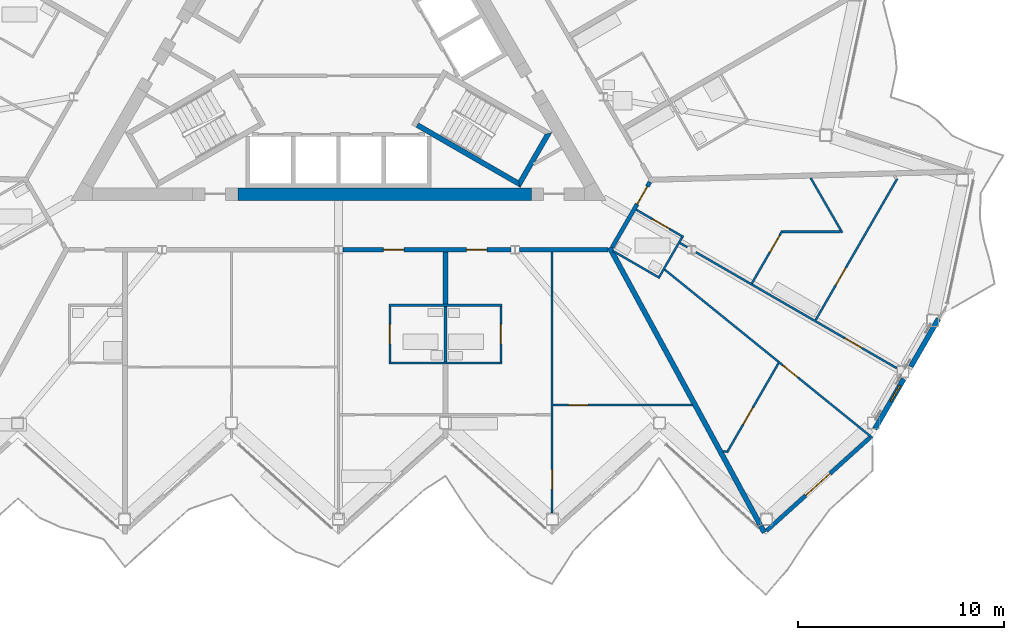
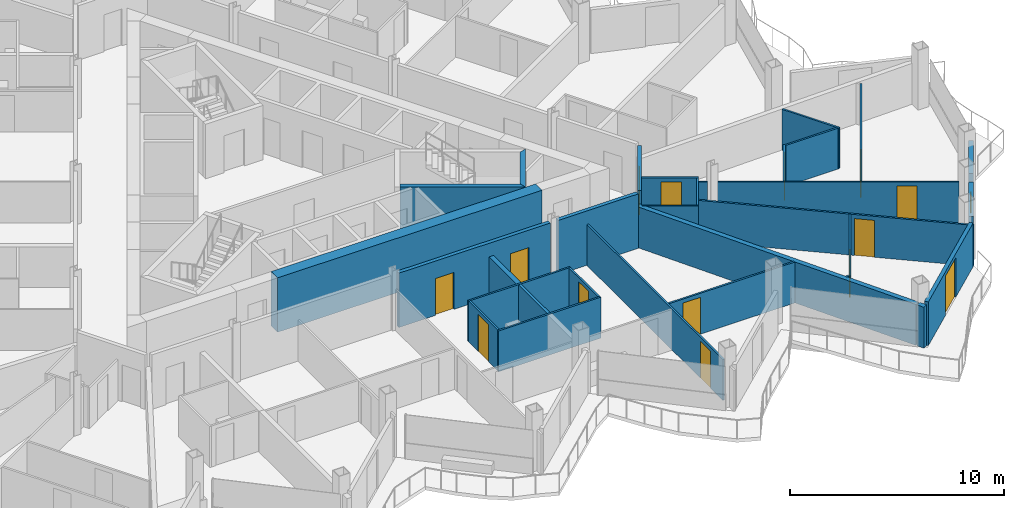
# One storey, part 16 of 28: 31 walls, 14 doors, 1 window, 15 openings.
"""IFC4 building model written with IfcOpenShell, lengths in metres."""

from ifc_helpers import new_model, si_unit, direction, frame, frame_2d, origin, place, context, subcontext, project, spatial, polyline, rectangle, outline, extrude, material, layer, layer_set, type_object, element, fill, save


model = new_model("IFC4")

# Units and contexts
model_context = context("Model", 3, precision=1e-05, world=origin(), true_north=direction((0.0, 1.0)))
body_context = subcontext(model_context, "Body", "Model", "MODEL_VIEW")
ifc_project = project(units=[si_unit("LENGTHUNIT", "METRE"), si_unit("AREAUNIT", "SQUARE_METRE"), si_unit("VOLUMEUNIT", "CUBIC_METRE"), si_unit("PLANEANGLEUNIT", "RADIAN"), si_unit("MASSUNIT", "GRAM", prefix="KILO")], contexts=[model_context])

# Site, building, storey
site_placement = place(None, origin())
site = spatial("IfcSite", under=ifc_project, at=site_placement, CompositionType="ELEMENT")
building_placement = place(site_placement, origin())
building = spatial("IfcBuilding", under=site, at=building_placement, Name="Cormorant Prow Tower", CompositionType="ELEMENT")
storey_placement = place(building_placement, frame((0.0, 0.0, 301.800048828125)))
storey = spatial("IfcBuildingStorey", under=building, at=storey_placement, Name="L65", CompositionType="ELEMENT", Elevation=301.800048828125)

# Wall
ifc_material_1 = material(Name="Concrete 8000 psi", Category="concrete")
ifc_layer_1 = layer(ifc_material_1, 0.60009765625)
ifc_layer_set_1 = layer_set([ifc_layer_1], Name="Concrete 8000 psi")
wall_type_1 = type_object("IfcWallType", Name="Core shear wall 600", PredefinedType="SHEAR", material=ifc_layer_set_1)
wall_1_placement = place(storey_placement, frame((-4.89208984375, -7.20556640625, 0.0), z_axis=(0.0, 0.0, 1.0), x_axis=(1.0, 0.0, 0.0)))
element("IfcWall", 1, at=wall_1_placement, inside=storey, type_object=wall_type_1, Name="Core wall", PredefinedType="SHEAR", context=body_context, shape_type="SweptSolid", body=[
    extrude(rectangle(XDim=14.2607421875, YDim=0.60009765625, at=frame_2d((7.13037109375, 0.0))), origin(), (0.0, 0.0, 1.0), 3.099853515625),
])

# Wall, openings, doors
ifc_material_2 = material(Name="Gypsum board corridor wall")
ifc_layer_2 = layer(ifc_material_2, 0.199951171875)
ifc_layer_set_2 = layer_set([ifc_layer_2], Name="Gypsum board corridor wall")
wall_type_2 = type_object("IfcWallType", Name="Corridor wall 200", PredefinedType="PARTITIONING", material=ifc_layer_set_2)
wall_2_placement = place(storey_placement, frame((0.207763671875, -9.905517578125, 0.0), z_axis=(0.0, 0.0, 1.0), x_axis=(1.0, 0.0, 0.0)))
wall_2 = element("IfcWall", 2, at=wall_2_placement, inside=storey, type_object=wall_type_2, Name="Corridor wall", PredefinedType="PARTITIONING", context=body_context, shape_type="SweptSolid", body=[
    extrude(rectangle(XDim=8.1630859375, YDim=0.199951171875, at=frame_2d((4.08154296875, 0.0))), origin(), (0.0, 0.0, 1.0), 3.099853515625),
])
opening_1_placement = place(wall_2_placement, frame((1.96630859375, 0.0, 0.0)))
opening_1 = element("IfcOpeningElement", 3, at=opening_1_placement, cuts=wall_2, Name="Opening L65-F03", PredefinedType="OPENING", context=body_context, shape_type="SweptSolid", body=[
    extrude(rectangle(XDim=1.0, YDim=2.10009765625, at=frame_2d((0.5, 1.050048828125))), frame((0.0, 0.10986328125, 0.0), z_axis=(0.0, -1.0, 0.0), x_axis=(1.0, 0.0, 0.0)), (0.0, 0.0, 1.0), 0.219970703125),
])
opening_2_placement = place(wall_2_placement, frame((6.00439453125, 0.0, 0.0)))
opening_2 = element("IfcOpeningElement", 4, at=opening_2_placement, cuts=wall_2, Name="Opening L65-F10", PredefinedType="OPENING", context=body_context, shape_type="SweptSolid", body=[
    extrude(rectangle(XDim=1.0, YDim=2.10009765625, at=frame_2d((0.5, 1.050048828125))), frame((0.0, 0.10986328125, 0.0), z_axis=(0.0, -1.0, 0.0), x_axis=(1.0, 0.0, 0.0)), (0.0, 0.0, 1.0), 0.219970703125),
])
ifc_material_3 = material(Name="Timber door leaf", Category="wood")
door_type_1 = type_object("IfcDoorType", Name="Flat or room entrance door 1000x2100", OperationType="NOTDEFINED", PredefinedType="DOOR", material=ifc_material_3)
door_1_placement = place(opening_1_placement, origin())
door_1 = element("IfcDoor", 5, at=door_1_placement, inside=storey, type_object=door_type_1, Name="Living room door", OperationType="SINGLE_SWING_LEFT", OverallHeight=2.10009765625, OverallWidth=1.0, PredefinedType="DOOR", context=body_context, shape_type="SweptSolid", body=[
    extrude(rectangle(XDim=1.0, YDim=2.10009765625, at=frame_2d((0.5, 1.050048828125))), frame((0.0, 0.02490234375, 0.0), z_axis=(0.0, -1.0, 0.0), x_axis=(1.0, 0.0, 0.0)), (0.0, 0.0, 1.0), 0.050048828125),
])
fill(opening_1, door_1)
door_2_placement = place(opening_2_placement, origin())
door_2 = element("IfcDoor", 6, at=door_2_placement, inside=storey, type_object=door_type_1, Name="Living room door", OperationType="SINGLE_SWING_LEFT", OverallHeight=2.10009765625, OverallWidth=1.0, PredefinedType="DOOR", context=body_context, shape_type="SweptSolid", body=[
    extrude(rectangle(XDim=1.0, YDim=2.10009765625, at=frame_2d((0.5, 1.050048828125))), frame((0.0, 0.02490234375, 0.0), z_axis=(0.0, -1.0, 0.0), x_axis=(1.0, 0.0, 0.0)), (0.0, 0.0, 1.0), 0.050048828125),
])
fill(opening_2, door_2)

# Wall
wall_3_placement = place(storey_placement, frame((8.7861328125, -9.905517578125, 0.0), z_axis=(0.0, 0.0, 1.0), x_axis=(1.0, 0.0, 0.0)))
element("IfcWall", 7, at=wall_3_placement, inside=storey, type_object=wall_type_2, Name="Corridor wall", PredefinedType="PARTITIONING", context=body_context, shape_type="SweptSolid", body=[
    extrude(rectangle(XDim=4.31982421875, YDim=0.199951171875, at=frame_2d((2.159912109375, 0.0))), origin(), (0.0, 0.0, 1.0), 3.099853515625),
])

# Wall, opening, door
wall_4_placement = place(storey_placement, frame((13.29345703125, -9.79736328125, 0.0), z_axis=(0.0, 0.0, 1.0), x_axis=(0.499967746641, 0.866044024469, 0.0)))
wall_4 = element("IfcWall", 8, at=wall_4_placement, inside=storey, type_object=wall_type_2, Name="Corridor wall", PredefinedType="PARTITIONING", context=body_context, shape_type="SweptSolid", body=[
    extrude(rectangle(XDim=3.676025390625, YDim=0.199951171875, at=frame_2d((1.837890625, 0.0))), origin(), (0.0, 0.0, 1.0), 3.099853515625),
])
opening_3_placement = place(wall_4_placement, frame((2.426025390625, 0.0, 0.0)))
opening_3 = element("IfcOpeningElement", 9, at=opening_3_placement, cuts=wall_4, Name="Opening L65-F15", PredefinedType="OPENING", context=body_context, shape_type="SweptSolid", body=[
    extrude(rectangle(XDim=1.0, YDim=2.10009765625, at=frame_2d((0.5, 1.050048828125))), frame((0.0, 0.10986328125, 0.0), z_axis=(0.0, -1.0, 0.0), x_axis=(1.0, 0.0, 0.0)), (0.0, 0.0, 1.0), 0.219970703125),
])
door_3_placement = place(opening_3_placement, origin())
door_3 = element("IfcDoor", 10, at=door_3_placement, inside=storey, type_object=door_type_1, Name="Living room door", OperationType="SINGLE_SWING_RIGHT", OverallHeight=2.10009765625, OverallWidth=1.0, PredefinedType="DOOR", context=body_context, shape_type="SweptSolid", body=[
    extrude(rectangle(XDim=1.0, YDim=2.10009765625, at=frame_2d((0.5, 1.050048828125))), frame((0.0, 0.02490234375, 0.0), z_axis=(0.0, -1.0, 0.0), x_axis=(1.0, 0.0, 0.0)), (0.0, 0.0, 1.0), 0.050048828125),
])
fill(opening_3, door_3)

ifc_material_4 = material(Name="Gypsum board partition")
ifc_layer_3 = layer(ifc_material_4, 0.10009765625)
ifc_layer_set_3 = layer_set([ifc_layer_3], Name="Gypsum board partition")
wall_type_3 = type_object("IfcWallType", Name="Internal partition 100", PredefinedType="PARTITIONING", material=ifc_layer_set_3)
wall_5_placement = place(storey_placement, frame((15.848388671875, -10.870849609375, 0.0), z_axis=(0.0, 0.0, 1.0), x_axis=(0.77713687197, -0.629331615465, 0.0)))
wall_5 = element("IfcWall", 11, at=wall_5_placement, inside=storey, type_object=wall_type_3, Name="Internal partition", PredefinedType="PARTITIONING", context=body_context, shape_type="SweptSolid", body=[
    extrude(rectangle(XDim=13.00439453125, YDim=0.10009765625, at=frame_2d((6.502197265625, 0.0))), origin(), (0.0, 0.0, 1.0), 2.330078125),
])
opening_4_placement = place(wall_5_placement, frame((7.383544921875, 0.0, 0.0)))
opening_4 = element("IfcOpeningElement", 12, at=opening_4_placement, cuts=wall_5, Name="Opening L65-F20", PredefinedType="OPENING", context=body_context, shape_type="SweptSolid", body=[
    extrude(rectangle(XDim=0.949951171875, YDim=2.10009765625, at=frame_2d((0.47509765625, 1.050048828125))), frame((0.0, 0.06005859375, 0.0), z_axis=(0.0, -1.0, 0.0), x_axis=(1.0, 0.0, 0.0)), (0.0, 0.0, 1.0), 0.1201171875),
])
ifc_material_5 = material(Name="Timber door leaf", Category="wood")
door_type_2 = type_object("IfcDoorType", Name="Bathroom door 950x2100", OperationType="NOTDEFINED", PredefinedType="DOOR", material=ifc_material_5)
door_4_placement = place(opening_4_placement, origin())
door_4 = element("IfcDoor", 13, at=door_4_placement, inside=storey, type_object=door_type_2, Name="Bedroom door", OperationType="SINGLE_SWING_LEFT", OverallHeight=2.10009765625, OverallWidth=0.949951171875, PredefinedType="DOOR", context=body_context, shape_type="SweptSolid", body=[
    extrude(rectangle(XDim=0.949951171875, YDim=2.10009765625, at=frame_2d((0.47509765625, 1.050048828125))), frame((0.0, 0.02490234375, 0.0), z_axis=(0.0, -1.0, 0.0), x_axis=(1.0, 0.0, 0.0)), (0.0, 0.0, 1.0), 0.050048828125),
])
fill(opening_4, door_4)

wall_6_placement = place(storey_placement, frame((10.3818359375, -22.697998046875, 0.0), z_axis=(0.0, 0.0, 1.0), x_axis=(0.0, 1.0, 0.0)))
wall_6 = element("IfcWall", 14, at=wall_6_placement, inside=storey, type_object=wall_type_3, Name="Internal partition", PredefinedType="PARTITIONING", context=body_context, shape_type="SweptSolid", body=[
    extrude(rectangle(XDim=12.6923828125, YDim=0.10009765625, at=frame_2d((6.34619140625, 0.0))), origin(), (0.0, 0.0, 1.0), 2.330078125),
])
opening_5_placement = place(wall_6_placement, frame((1.1533203125, 0.0, 0.0)))
opening_5 = element("IfcOpeningElement", 15, at=opening_5_placement, cuts=wall_6, Name="Opening L65-F13", PredefinedType="OPENING", context=body_context, shape_type="SweptSolid", body=[
    extrude(rectangle(XDim=0.949951171875, YDim=2.10009765625, at=frame_2d((0.47509765625, 1.050048828125))), frame((0.0, 0.06005859375, 0.0), z_axis=(0.0, -1.0, 0.0), x_axis=(1.0, 0.0, 0.0)), (0.0, 0.0, 1.0), 0.1201171875),
])
door_5_placement = place(opening_5_placement, origin())
door_5 = element("IfcDoor", 16, at=door_5_placement, inside=storey, type_object=door_type_2, Name="Kitchen door", OperationType="SINGLE_SWING_RIGHT", OverallHeight=2.10009765625, OverallWidth=0.949951171875, PredefinedType="DOOR", context=body_context, shape_type="SweptSolid", body=[
    extrude(rectangle(XDim=0.949951171875, YDim=2.10009765625, at=frame_2d((0.47509765625, 1.050048828125))), frame((0.0, 0.02490234375, 0.0), z_axis=(0.0, -1.0, 0.0), x_axis=(1.0, 0.0, 0.0)), (0.0, 0.0, 1.0), 0.050048828125),
])
fill(opening_5, door_5)

wall_7_placement = place(storey_placement, frame((17.364501953125, -10.025390625, 0.0), z_axis=(0.0, 0.0, 1.0), x_axis=(0.866021046153, -0.500007547564, 0.0)))
wall_7 = element("IfcWall", 17, at=wall_7_placement, inside=storey, type_object=wall_type_3, Name="Internal partition", PredefinedType="PARTITIONING", context=body_context, shape_type="SweptSolid", body=[
    extrude(rectangle(XDim=11.267333984375, YDim=0.10009765625, at=frame_2d((5.6337890625, 0.0))), origin(), (0.0, 0.0, 1.0), 2.330078125),
])
opening_6_placement = place(wall_7_placement, frame((8.3642578125, 0.0, 0.0)))
opening_6 = element("IfcOpeningElement", 18, at=opening_6_placement, cuts=wall_7, Name="Opening L65-F19", PredefinedType="OPENING", context=body_context, shape_type="SweptSolid", body=[
    extrude(rectangle(XDim=0.949951171875, YDim=2.10009765625, at=frame_2d((0.47509765625, 1.050048828125))), frame((0.0, 0.06005859375, 0.0), z_axis=(0.0, -1.0, 0.0), x_axis=(1.0, 0.0, 0.0)), (0.0, 0.0, 1.0), 0.1201171875),
])
door_6_placement = place(opening_6_placement, origin())
door_6 = element("IfcDoor", 19, at=door_6_placement, inside=storey, type_object=door_type_2, Name="Dining room door", OperationType="SINGLE_SWING_RIGHT", OverallHeight=2.10009765625, OverallWidth=0.949951171875, PredefinedType="DOOR", context=body_context, shape_type="SweptSolid", body=[
    extrude(rectangle(XDim=0.949951171875, YDim=2.10009765625, at=frame_2d((0.47509765625, 1.050048828125))), frame((0.0, 0.02490234375, 0.0), z_axis=(0.0, -1.0, 0.0), x_axis=(1.0, 0.0, 0.0)), (0.0, 0.0, 1.0), 0.050048828125),
])
fill(opening_6, door_6)

wall_8_placement = place(storey_placement, frame((23.182861328125, -13.326904296875, 0.0), z_axis=(0.0, 0.0, 1.0), x_axis=(0.499991741039, 0.866030172045, 0.0)))
wall_8 = element("IfcWall", 20, at=wall_8_placement, inside=storey, type_object=wall_type_3, Name="Internal partition", PredefinedType="PARTITIONING", context=body_context, shape_type="SweptSolid", body=[
    extrude(rectangle(XDim=7.926513671875, YDim=0.10009765625, at=frame_2d((3.96337890625, 0.0))), origin(), (0.0, 0.0, 1.0), 2.330078125),
])
opening_7_placement = place(wall_8_placement, frame((1.970458984375, 0.0, 0.0)))
opening_7 = element("IfcOpeningElement", 21, at=opening_7_placement, cuts=wall_8, Name="Opening L65-F18", PredefinedType="OPENING", context=body_context, shape_type="SweptSolid", body=[
    extrude(rectangle(XDim=0.949951171875, YDim=2.10009765625, at=frame_2d((0.47509765625, 1.050048828125))), frame((0.0, 0.06005859375, 0.0), z_axis=(0.0, -1.0, 0.0), x_axis=(1.0, 0.0, 0.0)), (0.0, 0.0, 1.0), 0.1201171875),
])
door_7_placement = place(opening_7_placement, origin())
door_7 = element("IfcDoor", 22, at=door_7_placement, inside=storey, type_object=door_type_2, Name="Kitchen door", OperationType="SINGLE_SWING_RIGHT", OverallHeight=2.10009765625, OverallWidth=0.949951171875, PredefinedType="DOOR", context=body_context, shape_type="SweptSolid", body=[
    extrude(rectangle(XDim=0.949951171875, YDim=2.10009765625, at=frame_2d((0.47509765625, 1.050048828125))), frame((0.0, 0.02490234375, 0.0), z_axis=(0.0, -1.0, 0.0), x_axis=(1.0, 0.0, 0.0)), (0.0, 0.0, 1.0), 0.050048828125),
])
fill(opening_7, door_7)

wall_9_placement = place(storey_placement, frame((10.431884765625, -17.45751953125, 0.0), z_axis=(0.0, 0.0, 1.0), x_axis=(1.0, 0.0, 0.0)))
wall_9 = element("IfcWall", 23, at=wall_9_placement, inside=storey, type_object=wall_type_3, Name="Internal partition", PredefinedType="PARTITIONING", context=body_context, shape_type="SweptSolid", body=[
    extrude(rectangle(XDim=6.774658203125, YDim=0.10009765625, at=frame_2d((3.38720703125, 0.0))), origin(), (0.0, 0.0, 1.0), 2.330078125),
])
opening_8_placement = place(wall_9_placement, frame((0.752197265625, 0.0, 0.0)))
opening_8 = element("IfcOpeningElement", 24, at=opening_8_placement, cuts=wall_9, Name="Opening L65-F14", PredefinedType="OPENING", context=body_context, shape_type="SweptSolid", body=[
    extrude(rectangle(XDim=0.949951171875, YDim=2.10009765625, at=frame_2d((0.47509765625, 1.050048828125))), frame((0.0, 0.06005859375, 0.0), z_axis=(0.0, -1.0, 0.0), x_axis=(1.0, 0.0, 0.0)), (0.0, 0.0, 1.0), 0.1201171875),
])
door_8_placement = place(opening_8_placement, origin())
door_8 = element("IfcDoor", 25, at=door_8_placement, inside=storey, type_object=door_type_2, Name="Bedroom door", OperationType="SINGLE_SWING_LEFT", OverallHeight=2.10009765625, OverallWidth=0.949951171875, PredefinedType="DOOR", context=body_context, shape_type="SweptSolid", body=[
    extrude(rectangle(XDim=0.949951171875, YDim=2.10009765625, at=frame_2d((0.47509765625, 1.050048828125))), frame((0.0, 0.02490234375, 0.0), z_axis=(0.0, -1.0, 0.0), x_axis=(1.0, 0.0, 0.0)), (0.0, 0.0, 1.0), 0.050048828125),
])
fill(opening_8, door_8)

# Walls
for number, where, z_axis, x_axis, name in (
    (26, (2.44091796875, -12.605712890625, 0.0), (0.0, 0.0, 1.0), (1.0, 0.0, 0.0), "Internal partition"),
    (27, (2.44091796875, -15.405517578125, 0.0), (0.0, 0.0, 1.0), (1.0, 0.0, 0.0), "Internal partition"),
):
    element("IfcWall", number, at=place(storey_placement, frame(where, z_axis=z_axis, x_axis=x_axis)), inside=storey, type_object=wall_type_3, Name=name, PredefinedType="PARTITIONING", context=body_context, shape_type="SweptSolid", body=[
        extrude(rectangle(XDim=5.5, YDim=0.10009765625, at=frame_2d((2.75, 0.0))), origin(), (0.0, 0.0, 1.0), 2.330078125),
    ])

# Wall, opening, door
wall_10_placement = place(storey_placement, frame((18.872802734375, -19.763916015625, 0.0), z_axis=(0.0, 0.0, 1.0), x_axis=(0.499983455602, 0.866034955486, 0.0)))
wall_10 = element("IfcWall", 28, at=wall_10_placement, inside=storey, type_object=wall_type_3, Name="Internal partition", PredefinedType="PARTITIONING", context=body_context, shape_type="SweptSolid", body=[
    extrude(rectangle(XDim=5.020263671875, YDim=0.10009765625, at=frame_2d((2.51025390625, 0.0))), origin(), (0.0, 0.0, 1.0), 2.330078125),
])
opening_9_placement = place(wall_10_placement, frame((1.576171875, 0.0, 0.0)))
opening_9 = element("IfcOpeningElement", 29, at=opening_9_placement, cuts=wall_10, Name="Opening L65-F21", PredefinedType="OPENING", context=body_context, shape_type="SweptSolid", body=[
    extrude(rectangle(XDim=0.949951171875, YDim=2.10009765625, at=frame_2d((0.47509765625, 1.050048828125))), frame((0.0, 0.06005859375, 0.0), z_axis=(0.0, -1.0, 0.0), x_axis=(1.0, 0.0, 0.0)), (0.0, 0.0, 1.0), 0.1201171875),
])
door_9_placement = place(opening_9_placement, origin())
door_9 = element("IfcDoor", 30, at=door_9_placement, inside=storey, type_object=door_type_2, Name="Bedroom door", OperationType="SINGLE_SWING_LEFT", OverallHeight=2.10009765625, OverallWidth=0.949951171875, PredefinedType="DOOR", context=body_context, shape_type="SweptSolid", body=[
    extrude(rectangle(XDim=0.949951171875, YDim=2.10009765625, at=frame_2d((0.47509765625, 1.050048828125))), frame((0.0, 0.02490234375, 0.0), z_axis=(0.0, -1.0, 0.0), x_axis=(1.0, 0.0, 0.0)), (0.0, 0.0, 1.0), 0.050048828125),
])
fill(opening_9, door_9)

# Wall
wall_11_placement = place(storey_placement, frame((22.940673828125, -6.41259765625, 0.0), z_axis=(0.0, 0.0, 1.0), x_axis=(0.500013199183, -0.866017783098, 0.0)))
element("IfcWall", 31, at=wall_11_placement, inside=storey, type_object=wall_type_3, Name="Internal partition", PredefinedType="PARTITIONING", context=body_context, shape_type="SweptSolid", body=[
    extrude(rectangle(XDim=3.0771484375, YDim=0.10009765625, at=frame_2d((1.53857421875, 0.0))), origin(), (0.0, 0.0, 1.0), 2.330078125),
])

# Wall, opening, door
wall_12_placement = place(storey_placement, frame((20.087646484375, -11.539794921875, 0.0), z_axis=(0.0, 0.0, 1.0), x_axis=(0.500055103712, 0.865993587304, 0.0)))
wall_12 = element("IfcWall", 32, at=wall_12_placement, inside=storey, type_object=wall_type_3, Name="Internal partition", PredefinedType="PARTITIONING", context=body_context, shape_type="SweptSolid", body=[
    extrude(rectangle(XDim=2.943603515625, YDim=0.10009765625, at=frame_2d((1.4716796875, 0.0))), origin(), (0.0, 0.0, 1.0), 2.330078125),
])
opening_10_placement = place(wall_12_placement, frame((1.74365234375, 0.0, 0.0)))
opening_10 = element("IfcOpeningElement", 33, at=opening_10_placement, cuts=wall_12, Name="Opening L65-F17", PredefinedType="OPENING", context=body_context, shape_type="SweptSolid", body=[
    extrude(rectangle(XDim=0.949951171875, YDim=2.10009765625, at=frame_2d((0.47509765625, 1.050048828125))), frame((0.0, 0.06005859375, 0.0), z_axis=(0.0, -1.0, 0.0), x_axis=(1.0, 0.0, 0.0)), (0.0, 0.0, 1.0), 0.1201171875),
])
door_10_placement = place(opening_10_placement, origin())
door_10 = element("IfcDoor", 34, at=door_10_placement, inside=storey, type_object=door_type_2, Name="Living room door", OperationType="SINGLE_SWING_RIGHT", OverallHeight=2.10009765625, OverallWidth=0.949951171875, PredefinedType="DOOR", context=body_context, shape_type="SweptSolid", body=[
    extrude(rectangle(XDim=0.949951171875, YDim=2.10009765625, at=frame_2d((0.47509765625, 1.050048828125))), frame((0.0, 0.02490234375, 0.0), z_axis=(0.0, -1.0, 0.0), x_axis=(1.0, 0.0, 0.0)), (0.0, 0.0, 1.0), 0.050048828125),
])
fill(opening_10, door_10)

# Wall
wall_13_placement = place(storey_placement, frame((21.58447265625, -9.033935546875, 0.0), z_axis=(0.0, 0.0, 1.0), x_axis=(1.0, 0.0, 0.0)))
element("IfcWall", 35, at=wall_13_placement, inside=storey, type_object=wall_type_3, Name="Internal partition", PredefinedType="PARTITIONING", context=body_context, shape_type="SweptSolid", body=[
    extrude(rectangle(XDim=2.81982421875, YDim=0.10009765625, at=frame_2d((1.409912109375, 0.0))), origin(), (0.0, 0.0, 1.0), 2.330078125),
])

# Wall, opening, door
wall_14_placement = place(storey_placement, frame((2.490966796875, -15.355712890625, 0.0), z_axis=(0.0, 0.0, 1.0), x_axis=(0.0, 1.0, 0.0)))
wall_14 = element("IfcWall", 36, at=wall_14_placement, inside=storey, type_object=wall_type_3, Name="Internal partition", PredefinedType="PARTITIONING", context=body_context, shape_type="SweptSolid", body=[
    extrude(rectangle(XDim=2.7001953125, YDim=0.10009765625, at=frame_2d((1.35009765625, 0.0))), origin(), (0.0, 0.0, 1.0), 2.330078125),
])
opening_11_placement = place(wall_14_placement, frame((0.875, 0.0, 0.0)))
opening_11 = element("IfcOpeningElement", 37, at=opening_11_placement, cuts=wall_14, Name="Opening L65-F04", PredefinedType="OPENING", context=body_context, shape_type="SweptSolid", body=[
    extrude(rectangle(XDim=0.949951171875, YDim=2.10009765625, at=frame_2d((0.47509765625, 1.050048828125))), frame((0.0, 0.06005859375, 0.0), z_axis=(0.0, -1.0, 0.0), x_axis=(1.0, 0.0, 0.0)), (0.0, 0.0, 1.0), 0.1201171875),
])
door_11_placement = place(opening_11_placement, origin())
door_11 = element("IfcDoor", 38, at=door_11_placement, inside=storey, type_object=door_type_2, Name="Living room door", OperationType="SINGLE_SWING_RIGHT", OverallHeight=2.10009765625, OverallWidth=0.949951171875, PredefinedType="DOOR", context=body_context, shape_type="SweptSolid", body=[
    extrude(rectangle(XDim=0.949951171875, YDim=2.10009765625, at=frame_2d((0.47509765625, 1.050048828125))), frame((0.0, 0.02490234375, 0.0), z_axis=(0.0, -1.0, 0.0), x_axis=(1.0, 0.0, 0.0)), (0.0, 0.0, 1.0), 0.050048828125),
])
fill(opening_11, door_11)

wall_15_placement = place(storey_placement, frame((7.890869140625, -15.355712890625, 0.0), z_axis=(0.0, 0.0, 1.0), x_axis=(0.0, 1.0, 0.0)))
wall_15 = element("IfcWall", 39, at=wall_15_placement, inside=storey, type_object=wall_type_3, Name="Internal partition", PredefinedType="PARTITIONING", context=body_context, shape_type="SweptSolid", body=[
    extrude(rectangle(XDim=2.7001953125, YDim=0.10009765625, at=frame_2d((1.35009765625, 0.0))), origin(), (0.0, 0.0, 1.0), 2.330078125),
])
opening_12_placement = place(wall_15_placement, frame((0.875, 0.0, 0.0)))
opening_12 = element("IfcOpeningElement", 40, at=opening_12_placement, cuts=wall_15, Name="Opening L65-F11", PredefinedType="OPENING", context=body_context, shape_type="SweptSolid", body=[
    extrude(rectangle(XDim=0.949951171875, YDim=2.10009765625, at=frame_2d((0.47509765625, 1.050048828125))), frame((0.0, 0.06005859375, 0.0), z_axis=(0.0, -1.0, 0.0), x_axis=(1.0, 0.0, 0.0)), (0.0, 0.0, 1.0), 0.1201171875),
])
door_12_placement = place(opening_12_placement, origin())
door_12 = element("IfcDoor", 41, at=door_12_placement, inside=storey, type_object=door_type_2, Name="Living room door", OperationType="SINGLE_SWING_RIGHT", OverallHeight=2.10009765625, OverallWidth=0.949951171875, PredefinedType="DOOR", context=body_context, shape_type="SweptSolid", body=[
    extrude(rectangle(XDim=0.949951171875, YDim=2.10009765625, at=frame_2d((0.47509765625, 1.050048828125))), frame((0.0, 0.02490234375, 0.0), z_axis=(0.0, -1.0, 0.0), x_axis=(1.0, 0.0, 0.0)), (0.0, 0.0, 1.0), 0.050048828125),
])
fill(opening_12, door_12)

wall_16_placement = place(storey_placement, frame((14.467529296875, -7.963623046875, 0.0), z_axis=(0.0, 0.0, 1.0), x_axis=(0.865989200783, -0.500062700197, 0.0)))
wall_16 = element("IfcWall", 42, at=wall_16_placement, inside=storey, type_object=wall_type_3, Name="Internal partition", PredefinedType="PARTITIONING", context=body_context, shape_type="SweptSolid", body=[
    extrude(rectangle(XDim=2.650146484375, YDim=0.10009765625, at=frame_2d((1.3251953125, 0.0))), origin(), (0.0, 0.0, 1.0), 2.330078125),
])
opening_13_placement = place(wall_16_placement, frame((0.904541015625, 0.0, 0.0)))
opening_13 = element("IfcOpeningElement", 43, at=opening_13_placement, cuts=wall_16, Name="Opening L65-F16", PredefinedType="OPENING", context=body_context, shape_type="SweptSolid", body=[
    extrude(rectangle(XDim=0.949951171875, YDim=2.10009765625, at=frame_2d((0.47509765625, 1.050048828125))), frame((0.0, 0.06005859375, 0.0), z_axis=(0.0, -1.0, 0.0), x_axis=(1.0, 0.0, 0.0)), (0.0, 0.0, 1.0), 0.1201171875),
])
door_13_placement = place(opening_13_placement, origin())
door_13 = element("IfcDoor", 44, at=door_13_placement, inside=storey, type_object=door_type_2, Name="Living room door", OperationType="SINGLE_SWING_RIGHT", OverallHeight=2.10009765625, OverallWidth=0.949951171875, PredefinedType="DOOR", context=body_context, shape_type="SweptSolid", body=[
    extrude(rectangle(XDim=0.949951171875, YDim=2.10009765625, at=frame_2d((0.47509765625, 1.050048828125))), frame((0.0, 0.02490234375, 0.0), z_axis=(0.0, -1.0, 0.0), x_axis=(1.0, 0.0, 0.0)), (0.0, 0.0, 1.0), 0.050048828125),
])
fill(opening_13, door_13)

# Walls
wall_17_placement = place(storey_placement, frame((13.339111328125, -9.968017578125, 0.0), z_axis=(0.0, 0.0, 1.0), x_axis=(0.866036909293, -0.499980071345, 0.0)))
element("IfcWall", 45, at=wall_17_placement, inside=storey, type_object=wall_type_3, Name="Internal partition", PredefinedType="PARTITIONING", context=body_context, shape_type="SweptSolid", body=[
    extrude(rectangle(XDim=2.625, YDim=0.10009765625, at=frame_2d((1.3125, 0.0))), origin(), (0.0, 0.0, 1.0), 2.330078125),
])
wall_18_placement = place(storey_placement, frame((15.59423828125, -11.21240234375, 0.0), z_axis=(0.0, 0.0, 1.0), x_axis=(0.499898558967, 0.866083962871, 0.0)))
element("IfcWall", 46, at=wall_18_placement, inside=storey, type_object=wall_type_3, Name="Internal partition", PredefinedType="PARTITIONING", context=body_context, shape_type="SweptSolid", body=[
    extrude(rectangle(XDim=2.2001953125, YDim=0.10009765625, at=frame_2d((1.10009765625, 0.0))), origin(), (0.0, 0.0, 1.0), 2.330078125),
])
wall_19_placement = place(storey_placement, frame((16.593994140625, -9.58056640625, 0.0), z_axis=(0.0, 0.0, 1.0), x_axis=(0.866036909293, -0.499980071345, 0.0)))
element("IfcWall", 47, at=wall_19_placement, inside=storey, type_object=wall_type_3, Name="Internal partition", PredefinedType="PARTITIONING", context=body_context, shape_type="SweptSolid", body=[
    extrude(rectangle(XDim=0.41015625, YDim=0.10009765625, at=frame_2d((0.205078125, 0.0))), origin(), (0.0, 0.0, 1.0), 2.330078125),
])
wall_20_placement = place(storey_placement, frame((18.685302734375, -19.720703125, 0.0), z_axis=(0.0, 0.0, 1.0), x_axis=(1.0, 0.0, 0.0)))
element("IfcWall", 48, at=wall_20_placement, inside=storey, type_object=wall_type_3, Name="Internal partition", PredefinedType="PARTITIONING", context=body_context, shape_type="SweptSolid", body=[
    extrude(rectangle(XDim=0.162353515625, YDim=0.10009765625, at=frame_2d((0.0810546875, 0.0))), origin(), (0.0, 0.0, 1.0), 2.330078125),
])
ifc_material_6 = material(Name="Concrete 8000 psi", Category="concrete")
ifc_layer_4 = layer(ifc_material_6, 0.25)
ifc_layer_set_4 = layer_set([ifc_layer_4], Name="Concrete 8000 psi")
wall_type_4 = type_object("IfcWallType", Name="Stair wall 250", PredefinedType="SHEAR", material=ifc_layer_set_4)
wall_21_placement = place(storey_placement, origin())
element("IfcWall", 49, at=wall_21_placement, inside=storey, type_object=wall_type_4, Name="Stair ST2 enclosure wall (flank)", PredefinedType="SHEAR", context=body_context, shape_type="SweptSolid", body=[
    extrude(outline(polyline([(3.76318359375, -3.95556640625), (8.82958984375, -6.880615234375), (8.738037109375, -6.5390625), (3.88818359375, -3.739013671875), (3.76318359375, -3.95556640625)])), origin(), (0.0, 0.0, 1.0), 3.099853515625),
])
wall_22_placement = place(storey_placement, origin())
element("IfcWall", 50, at=wall_22_placement, inside=storey, type_object=wall_type_4, Name="Stair ST2 enclosure wall (end)", PredefinedType="SHEAR", context=body_context, shape_type="SweptSolid", body=[
    extrude(outline(polyline([(8.82958984375, -6.880615234375), (10.37353515625, -4.206298828125), (10.031982421875, -4.2978515625), (8.738037109375, -6.5390625), (8.82958984375, -6.880615234375)])), origin(), (0.0, 0.0, 1.0), 3.099853515625),
])
ifc_material_7 = material(Name="Acoustic gypsum party wall")
ifc_layer_5 = layer(ifc_material_7, 0.25)
ifc_layer_set_5 = layer_set([ifc_layer_5], Name="Acoustic gypsum party wall")
wall_type_5 = type_object("IfcWallType", Name="Suite party wall 250", PredefinedType="PARTITIONING", material=ifc_layer_set_5)
wall_23_placement = place(storey_placement, frame((13.171142578125, -9.795654296875, 0.0), z_axis=(0.0, 0.0, 1.0), x_axis=(0.477178668135, -0.878806303275, 0.0)))
element("IfcWall", 51, at=wall_23_placement, inside=storey, type_object=wall_type_5, Name="Suite party wall", PredefinedType="PARTITIONING", context=body_context, shape_type="SweptSolid", body=[
    extrude(rectangle(XDim=15.330078125, YDim=0.25, at=frame_2d((7.6650390625, 0.0))), origin(), (0.0, 0.0, 1.0), 2.330078125),
])
wall_24_placement = place(storey_placement, frame((5.19091796875, -12.5556640625, 0.0), z_axis=(0.0, 0.0, 1.0), x_axis=(0.0, 1.0, 0.0)))
element("IfcWall", 52, at=wall_24_placement, inside=storey, type_object=wall_type_5, Name="Suite party wall", PredefinedType="PARTITIONING", context=body_context, shape_type="SweptSolid", body=[
    extrude(rectangle(XDim=2.550048828125, YDim=0.25, at=frame_2d((1.27490234375, 0.0))), origin(), (0.0, 0.0, 1.0), 2.330078125),
])
wall_25_placement = place(storey_placement, frame((20.513671875, -23.318115234375, 0.0), z_axis=(0.0, 0.0, 1.0), x_axis=(0.477077538769, -0.878861207474, 0.0)))
element("IfcWall", 53, at=wall_25_placement, inside=storey, type_object=wall_type_5, Name="Suite party wall", PredefinedType="PARTITIONING", context=body_context, shape_type="SweptSolid", body=[
    extrude(rectangle(XDim=0.376220703125, YDim=0.25, at=frame_2d((0.18798828125, 0.0))), origin(), (0.0, 0.0, 1.0), 2.330078125),
])

# Wall, opening, window
ifc_material_8 = material(Name="Terracotta", Category="masonry")
ifc_layer_6 = layer(ifc_material_8, 0.25)
ifc_layer_set_6 = layer_set([ifc_layer_6], Name="Terracotta")
wall_type_6 = type_object("IfcWallType", Name="Terracotta bay wall 250", PredefinedType="SOLIDWALL", material=ifc_layer_set_6)
wall_26_placement = place(storey_placement, frame((26.0634765625, -18.61669921875, 0.0), z_axis=(0.0, 0.0, 1.0), x_axis=(0.499968627931, 0.866043515699, 0.0)))
wall_26 = element("IfcWall", 54, at=wall_26_placement, inside=storey, type_object=wall_type_6, Name="Terracotta bay wall ESE00", PredefinedType="SOLIDWALL", context=body_context, shape_type="SweptSolid", body=[
    extrude(rectangle(XDim=2.804443359375, YDim=0.25, at=frame_2d((1.40234375, 0.0))), origin(), (0.0, 0.0, 1.0), 2.48779296875),
])
opening_14_placement = place(wall_26_placement, frame((1.550048828125, 0.0, 1.60009765625)))
opening_14 = element("IfcOpeningElement", 55, at=opening_14_placement, cuts=wall_26, Name="Opening WN7", PredefinedType="OPENING", context=body_context, shape_type="SweptSolid", body=[
    extrude(rectangle(XDim=0.89990234375, YDim=0.60009765625, at=frame_2d((0.449951171875, 0.300048828125))), frame((0.0, 0.135009765625, 0.0), z_axis=(0.0, -1.0, 0.0), x_axis=(1.0, 0.0, 0.0)), (0.0, 0.0, 1.0), 0.27001953125),
])
ifc_material_9 = material(Name="Aluminium 6063-T6", Category="aluminium")
window_type = type_object("IfcWindowType", Name="Corner bay window 900x600", PartitioningType="SINGLE_PANEL", PredefinedType="WINDOW", material=ifc_material_9)
window_placement = place(opening_14_placement, origin())
window = element("IfcWindow", 56, at=window_placement, inside=storey, type_object=window_type, Name="Corner bay window ESE00", OverallHeight=0.60009765625, OverallWidth=0.89990234375, PartitioningType="SINGLE_PANEL", PredefinedType="WINDOW", context=body_context, shape_type="SweptSolid", body=[
    extrude(rectangle(XDim=0.89990234375, YDim=0.60009765625, at=frame_2d((0.449951171875, 0.300048828125))), frame((0.0, 0.030029296875, 0.0), z_axis=(0.0, -1.0, 0.0), x_axis=(1.0, 0.0, 0.0)), (0.0, 0.0, 1.0), 0.06005859375),
])
fill(opening_14, window)

# Wall
wall_27_placement = place(storey_placement, frame((27.81201171875, -15.588134765625, 0.0), z_axis=(0.0, 0.0, 1.0), x_axis=(0.500032109083, 0.866006864803, 0.0)))
element("IfcWall", 57, at=wall_27_placement, inside=storey, type_object=wall_type_6, Name="Terracotta bay wall ESE01", PredefinedType="SOLIDWALL", context=body_context, shape_type="SweptSolid", body=[
    extrude(rectangle(XDim=2.684326171875, YDim=0.25, at=frame_2d((1.34228515625, 0.0))), origin(), (0.0, 0.0, 1.0), 2.48779296875),
])

# Wall, opening, door
ifc_material_10 = material(Name="Terracotta", Category="masonry")
ifc_layer_7 = layer(ifc_material_10, 0.199951171875)
ifc_layer_set_7 = layer_set([ifc_layer_7], Name="Terracotta")
wall_type_7 = type_object("IfcWallType", Name="Terracotta jamb wall 200", PredefinedType="SOLIDWALL", material=ifc_layer_set_7)
wall_28_placement = place(storey_placement, frame((20.80615234375, -23.55615234375, 0.0), z_axis=(0.0, 0.0, 1.0), x_axis=(0.743145048269, 0.669130358924, 0.0)))
wall_28 = element("IfcWall", 58, at=wall_28_placement, inside=storey, type_object=wall_type_7, Name="Terracotta jamb wall S09", PredefinedType="SOLIDWALL", context=body_context, shape_type="SweptSolid", body=[
    extrude(rectangle(XDim=6.7587890625, YDim=0.199951171875, at=frame_2d((3.37939453125, 0.0))), origin(), (0.0, 0.0, 1.0), 2.48779296875),
])
opening_15_placement = place(wall_28_placement, frame((2.54541015625, 0.0, 0.0)))
opening_15 = element("IfcOpeningElement", 59, at=opening_15_placement, cuts=wall_28, Name="Opening ED65.05", PredefinedType="OPENING", context=body_context, shape_type="SweptSolid", body=[
    extrude(rectangle(XDim=1.60009765625, YDim=2.25, at=frame_2d((0.800048828125, 1.125))), frame((0.0, 0.10986328125, 0.0), z_axis=(0.0, -1.0, 0.0), x_axis=(1.0, 0.0, 0.0)), (0.0, 0.0, 1.0), 0.219970703125),
])
ifc_material_11 = material(Name="Aluminium 6063-T6", Category="aluminium")
door_type_3 = type_object("IfcDoorType", Name="Balcony door 1600x2250", OperationType="DOUBLE_DOOR_SINGLE_SWING", PredefinedType="DOOR", material=ifc_material_11)
door_14_placement = place(opening_15_placement, origin())
door_14 = element("IfcDoor", 60, at=door_14_placement, inside=storey, type_object=door_type_3, Name="Balcony door S09 ED65.05", OperationType="DOUBLE_DOOR_SINGLE_SWING", OverallHeight=2.25, OverallWidth=1.60009765625, PredefinedType="DOOR", context=body_context, shape_type="SweptSolid", body=[
    extrude(rectangle(XDim=1.60009765625, YDim=2.25, at=frame_2d((0.800048828125, 1.125))), frame((0.0, 0.02490234375, 0.0), z_axis=(0.0, -1.0, 0.0), x_axis=(1.0, 0.0, 0.0)), (0.0, 0.0, 1.0), 0.050048828125),
])
fill(opening_15, door_14)

# Wall
ifc_material_12 = material(Name="Plasterboard wet wall with pipe chase")
ifc_layer_8 = layer(ifc_material_12, 0.14990234375)
ifc_layer_set_8 = layer_set([ifc_layer_8], Name="Plasterboard wet wall with pipe chase")
wall_type_8 = type_object("IfcWallType", Name="Wet wall 150", PredefinedType="PLUMBINGWALL", material=ifc_layer_set_8)
wall_29_placement = place(storey_placement, frame((5.19091796875, -15.355712890625, 0.0), z_axis=(0.0, 0.0, 1.0), x_axis=(0.0, 1.0, 0.0)))
element("IfcWall", 61, at=wall_29_placement, inside=storey, type_object=wall_type_8, Name="Wet wall", PredefinedType="PLUMBINGWALL", context=body_context, shape_type="SweptSolid", body=[
    extrude(rectangle(XDim=2.7001953125, YDim=0.14990234375, at=frame_2d((1.35009765625, 0.0))), origin(), (0.0, 0.0, 1.0), 2.330078125),
])

save(model, "model.ifc")
